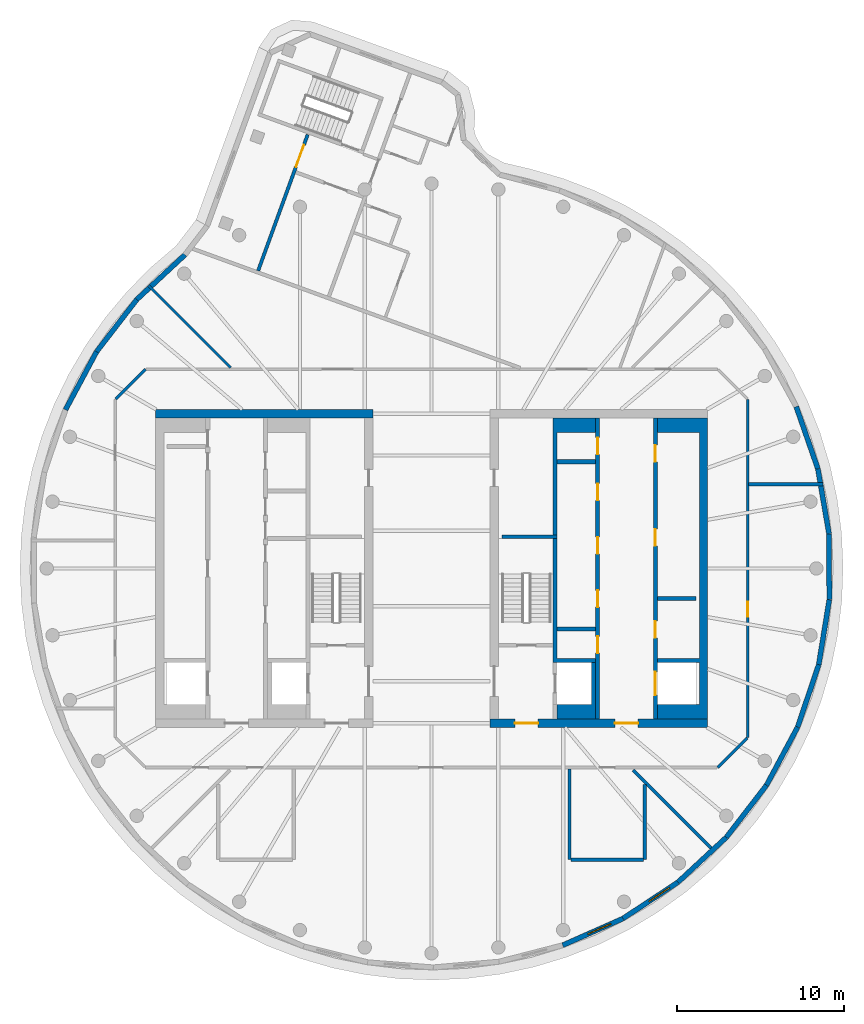
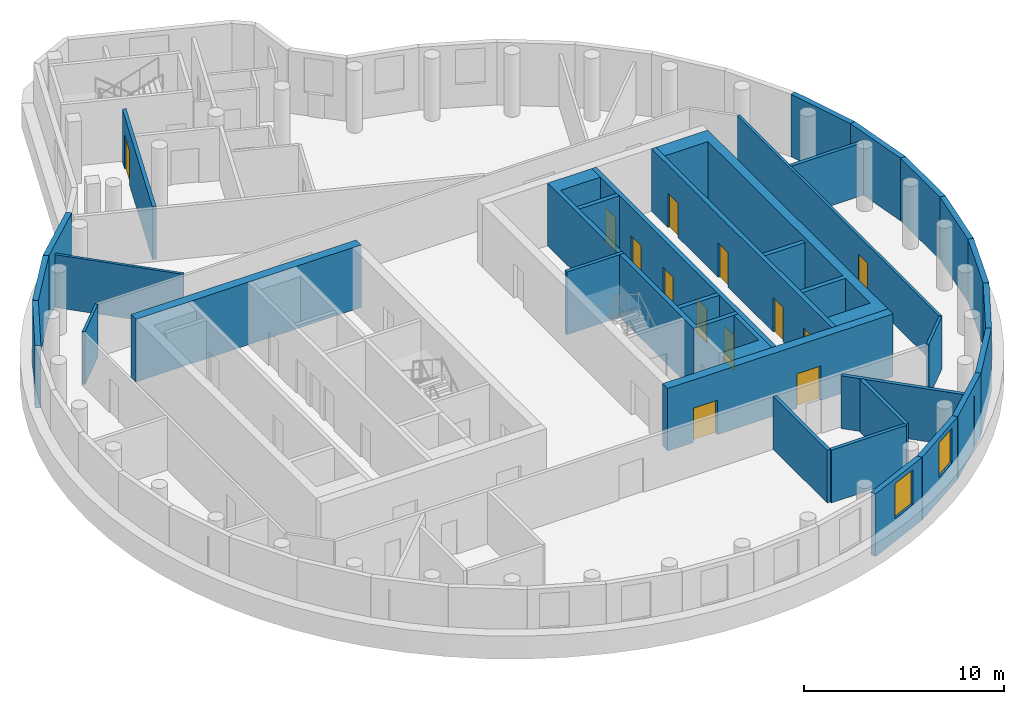
# One storey, part 4 of 7: 34 walls, 13 doors, 2 windows, 15 openings.
"""IFC4 building model written with IfcOpenShell, lengths in metres."""

from ifc_helpers import new_model, si_unit, direction, frame, frame_2d, origin, place, context, subcontext, project, spatial, polyline, rectangle, outline, extrude, material, layer, layer_set, type_object, element, fill, save


model = new_model("IFC4")

# Units and contexts
model_context = context("Model", 3, precision=1e-05, world=origin(), true_north=direction((0.0, 1.0)))
body_context = subcontext(model_context, "Body", "Model", "MODEL_VIEW")
ifc_project = project(units=[si_unit("LENGTHUNIT", "METRE"), si_unit("AREAUNIT", "SQUARE_METRE"), si_unit("VOLUMEUNIT", "CUBIC_METRE"), si_unit("PLANEANGLEUNIT", "RADIAN"), si_unit("MASSUNIT", "GRAM", prefix="KILO")], contexts=[model_context])

# Site, building, storey
site_placement = place(None, origin())
site = spatial("IfcSite", under=ifc_project, at=site_placement, CompositionType="ELEMENT")
building_placement = place(site_placement, origin())
building = spatial("IfcBuilding", under=site, at=building_placement, Name="Tamarind Cross Interchange Tower", CompositionType="ELEMENT")
storey_placement = place(building_placement, frame((0.0, 0.0, 309.39990234375)))
storey = spatial("IfcBuildingStorey", under=building, at=storey_placement, Name="L76", CompositionType="ELEMENT", Elevation=309.39990234375)

# Wall
ifc_material_1 = material(Name="Concrete C50", Category="concrete")
ifc_layer_1 = layer(ifc_material_1, 0.5)
ifc_layer_set_1 = layer_set([ifc_layer_1], Name="Concrete C50")
wall_type_1 = type_object("IfcWallType", Name="Core wall 500 mm Concrete C50", PredefinedType="SHEAR", material=ifc_layer_set_1)
wall_1_placement = place(storey_placement, frame((-16.5, 9.25, 0.0), z_axis=(0.0, 0.0, 1.0), x_axis=(1.0, 0.0, 0.0)))
element("IfcWall", 1, at=wall_1_placement, inside=storey, type_object=wall_type_1, Name="Core wall CWL-L76-W-NE", PredefinedType="SHEAR", context=body_context, shape_type="SweptSolid", body=[
    extrude(rectangle(XDim=13.0, YDim=0.5, at=frame_2d((6.5, 0.0))), origin(), (0.0, 0.0, 1.0), 3.820068359375),
])

# Wall, openings, doors
wall_2_placement = place(storey_placement, frame((16.5, -9.25, 0.0), z_axis=(0.0, 0.0, 1.0), x_axis=(-1.0, 0.0, 0.0)))
wall_2 = element("IfcWall", 2, at=wall_2_placement, inside=storey, type_object=wall_type_1, Name="Core wall CWL-L76-E-S", PredefinedType="SHEAR", context=body_context, shape_type="SweptSolid", body=[
    extrude(rectangle(XDim=13.0, YDim=0.5, at=frame_2d((6.5, 0.0))), origin(), (0.0, 0.0, 1.0), 3.820068359375),
])
opening_1_placement = place(wall_2_placement, frame((4.14990234375, 0.0, 0.0)))
opening_1 = element("IfcOpeningElement", 3, at=opening_1_placement, cuts=wall_2, Name="Opening DCE1", PredefinedType="OPENING", context=body_context, shape_type="SweptSolid", body=[
    extrude(rectangle(XDim=1.39990234375, YDim=2.10009765625, at=frame_2d((0.699951171875, 1.050048828125))), frame((0.0, 0.260009765625, 0.0), z_axis=(0.0, -1.0, 0.0), x_axis=(1.0, 0.0, 0.0)), (0.0, 0.0, 1.0), 0.52001953125),
])
opening_2_placement = place(wall_2_placement, frame((10.125, 0.0, 0.0)))
opening_2 = element("IfcOpeningElement", 4, at=opening_2_placement, cuts=wall_2, Name="Opening DCEF", PredefinedType="OPENING", context=body_context, shape_type="SweptSolid", body=[
    extrude(rectangle(XDim=1.39990234375, YDim=2.10009765625, at=frame_2d((0.699951171875, 1.050048828125))), frame((0.0, 0.260009765625, 0.0), z_axis=(0.0, -1.0, 0.0), x_axis=(1.0, 0.0, 0.0)), (0.0, 0.0, 1.0), 0.52001953125),
])
ifc_material_2 = material(Name="Steel, fire-resisting", Category="steel")
door_type_1 = type_object("IfcDoorType", Name="Core fire door 1400 x 2100 FD90", OperationType="SINGLE_SWING_LEFT", PredefinedType="DOOR", material=ifc_material_2)
door_1_placement = place(opening_1_placement, origin())
door_1 = element("IfcDoor", 5, at=door_1_placement, inside=storey, type_object=door_type_1, Name="L76 lift lobby door", OperationType="SINGLE_SWING_LEFT", OverallHeight=2.10009765625, OverallWidth=1.39990234375, PredefinedType="DOOR", context=body_context, shape_type="SweptSolid", body=[
    extrude(rectangle(XDim=1.39990234375, YDim=2.10009765625, at=frame_2d((0.699951171875, 1.050048828125))), frame((0.0, 0.02490234375, 0.0), z_axis=(0.0, -1.0, 0.0), x_axis=(1.0, 0.0, 0.0)), (0.0, 0.0, 1.0), 0.050048828125),
])
fill(opening_1, door_1)
door_2_placement = place(opening_2_placement, origin())
door_2 = element("IfcDoor", 6, at=door_2_placement, inside=storey, type_object=door_type_1, Name="L76 firefighting lobby end door", OperationType="SINGLE_SWING_LEFT", OverallHeight=2.10009765625, OverallWidth=1.39990234375, PredefinedType="DOOR", context=body_context, shape_type="SweptSolid", body=[
    extrude(rectangle(XDim=1.39990234375, YDim=2.10009765625, at=frame_2d((0.699951171875, 1.050048828125))), frame((0.0, 0.02490234375, 0.0), z_axis=(0.0, -1.0, 0.0), x_axis=(1.0, 0.0, 0.0)), (0.0, 0.0, 1.0), 0.050048828125),
])
fill(opening_2, door_2)

# Walls
wall_3_placement = place(storey_placement, origin())
element("IfcWall", 7, at=wall_3_placement, inside=storey, type_object=wall_type_1, Name="Core wall CWL-L76-E-A", PredefinedType="SHEAR", context=body_context, shape_type="SweptSolid", body=[
    extrude(outline(polyline([(13.5, -8.125), (13.5, -9.0), (16.0, -9.0), (16.5, -9.0), (16.5, 9.0), (16.0, 9.0), (13.5, 9.0), (13.5, 8.125), (16.0, 8.125), (16.0, -5.375), (13.5, -5.375), (13.5, -5.625), (16.0, -5.625), (16.0, -8.125), (13.5, -8.125)])), origin(), (0.0, 0.0, 1.0), 3.820068359375),
])
ifc_layer_2 = layer(ifc_material_1, 0.199951171875)
ifc_layer_set_2 = layer_set([ifc_layer_2], Name="Concrete C50")
wall_type_2 = type_object("IfcWallType", Name="Core web wall 200 mm Concrete C50", PredefinedType="SHEAR", material=ifc_layer_set_2)
wall_4_placement = place(storey_placement, frame((7.5, 1.89990234375, 0.0), z_axis=(0.0, 0.0, 1.0), x_axis=(-1.0, 0.0, 0.0)))
element("IfcWall", 8, at=wall_4_placement, inside=storey, type_object=wall_type_2, Name="Core wall CWL-L76-E-BD", PredefinedType="SHEAR", context=body_context, shape_type="SweptSolid", body=[
    extrude(rectangle(XDim=3.300048828125, YDim=0.199951171875, at=frame_2d((1.64990234375, 0.0))), origin(), (0.0, 0.0, 1.0), 3.820068359375),
])
ifc_layer_3 = layer(ifc_material_1, 0.25)
ifc_layer_set_3 = layer_set([ifc_layer_3], Name="Concrete C50")
wall_type_3 = type_object("IfcWallType", Name="Core web wall 250 mm Concrete C50", PredefinedType="SHEAR", material=ifc_layer_set_3)
wall_5_placement = place(storey_placement, origin())
element("IfcWall", 9, at=wall_5_placement, inside=storey, type_object=wall_type_3, Name="Core wall CWL-L76-E-BN", PredefinedType="SHEAR", context=body_context, shape_type="SweptSolid", body=[
    extrude(outline(polyline([(9.800048828125, -5.625), (9.800048828125, -5.375), (7.5, -5.375), (7.5, 8.125), (9.800048828125, 8.125), (9.800048828125, 9.0), (7.5, 9.0), (7.25, 9.0), (7.25, -5.625), (7.5, -5.625), (9.800048828125, -5.625)])), origin(), (0.0, 0.0, 1.0), 3.820068359375),
])
wall_6_placement = place(storey_placement, origin())
element("IfcWall", 10, at=wall_6_placement, inside=storey, type_object=wall_type_3, Name="Core wall CWL-L76-E-BS", PredefinedType="SHEAR", context=body_context, shape_type="SweptSolid", body=[
    extrude(outline(polyline([(7.5, -8.125), (7.5, -9.0), (9.800048828125, -9.0), (9.800048828125, -8.125), (9.800048828125, -5.625), (9.550048828125, -5.625), (9.550048828125, -8.125), (7.5, -8.125)])), origin(), (0.0, 0.0, 1.0), 3.820068359375),
])

# Wall, openings, doors
wall_7_placement = place(storey_placement, frame((13.375, -9.0, 0.0), z_axis=(0.0, 0.0, 1.0), x_axis=(0.0, 1.0, 0.0)))
wall_7 = element("IfcWall", 11, at=wall_7_placement, inside=storey, type_object=wall_type_3, Name="Core wall CWL-L76-E-LA", PredefinedType="SHEAR", context=body_context, shape_type="SweptSolid", body=[
    extrude(rectangle(XDim=18.0, YDim=0.25, at=frame_2d((9.0, 0.0))), origin(), (0.0, 0.0, 1.0), 3.820068359375),
])
opening_3_placement = place(wall_7_placement, frame((1.425048828125, 0.0, 0.0)))
opening_3 = element("IfcOpeningElement", 12, at=opening_3_placement, cuts=wall_7, Name="Opening LD13L76", PredefinedType="OPENING", context=body_context, shape_type="SweptSolid", body=[
    extrude(rectangle(XDim=1.39990234375, YDim=2.10009765625, at=frame_2d((0.699951171875, 1.050048828125))), frame((0.0, 0.135009765625, 0.0), z_axis=(0.0, -1.0, 0.0), x_axis=(1.0, 0.0, 0.0)), (0.0, 0.0, 1.0), 0.27001953125),
])
opening_4_placement = place(wall_7_placement, frame((4.85400390625, 0.0, 0.0)))
opening_4 = element("IfcOpeningElement", 13, at=opening_4_placement, cuts=wall_7, Name="Opening DCE9", PredefinedType="OPENING", context=body_context, shape_type="SweptSolid", body=[
    extrude(rectangle(XDim=1.0, YDim=2.10009765625, at=frame_2d((0.5, 1.050048828125))), frame((0.0, 0.135009765625, 0.0), z_axis=(0.0, -1.0, 0.0), x_axis=(1.0, 0.0, 0.0)), (0.0, 0.0, 1.0), 0.27001953125),
])
opening_5_placement = place(wall_7_placement, frame((10.35400390625, 0.0, 0.0)))
opening_5 = element("IfcOpeningElement", 14, at=opening_5_placement, cuts=wall_7, Name="Opening DCE10", PredefinedType="OPENING", context=body_context, shape_type="SweptSolid", body=[
    extrude(rectangle(XDim=1.0, YDim=2.10009765625, at=frame_2d((0.5, 1.050048828125))), frame((0.0, 0.135009765625, 0.0), z_axis=(0.0, -1.0, 0.0), x_axis=(1.0, 0.0, 0.0)), (0.0, 0.0, 1.0), 0.27001953125),
])
opening_6_placement = place(wall_7_placement, frame((15.375, 0.0, 0.0)))
opening_6 = element("IfcOpeningElement", 15, at=opening_6_placement, cuts=wall_7, Name="Opening DCE17", PredefinedType="OPENING", context=body_context, shape_type="SweptSolid", body=[
    extrude(rectangle(XDim=1.0, YDim=2.10009765625, at=frame_2d((0.5, 1.050048828125))), frame((0.0, 0.135009765625, 0.0), z_axis=(0.0, -1.0, 0.0), x_axis=(1.0, 0.0, 0.0)), (0.0, 0.0, 1.0), 0.27001953125),
])
door_type_2 = type_object("IfcDoorType", Name="Core fire door 1000 x 2100 FD90", OperationType="SINGLE_SWING_LEFT", PredefinedType="DOOR", material=ifc_material_2)
door_3_placement = place(opening_4_placement, origin())
door_3 = element("IfcDoor", 16, at=door_3_placement, inside=storey, type_object=door_type_2, Name="L76 Plant room door", OperationType="SINGLE_SWING_LEFT", OverallHeight=2.10009765625, OverallWidth=1.0, PredefinedType="DOOR", context=body_context, shape_type="SweptSolid", body=[
    extrude(rectangle(XDim=1.0, YDim=2.10009765625, at=frame_2d((0.5, 1.050048828125))), frame((0.0, 0.02490234375, 0.0), z_axis=(0.0, -1.0, 0.0), x_axis=(1.0, 0.0, 0.0)), (0.0, 0.0, 1.0), 0.050048828125),
])
fill(opening_4, door_3)
door_4_placement = place(opening_5_placement, origin())
door_4 = element("IfcDoor", 17, at=door_4_placement, inside=storey, type_object=door_type_2, Name="L76 Storage room door", OperationType="SINGLE_SWING_LEFT", OverallHeight=2.10009765625, OverallWidth=1.0, PredefinedType="DOOR", context=body_context, shape_type="SweptSolid", body=[
    extrude(rectangle(XDim=1.0, YDim=2.10009765625, at=frame_2d((0.5, 1.050048828125))), frame((0.0, 0.02490234375, 0.0), z_axis=(0.0, -1.0, 0.0), x_axis=(1.0, 0.0, 0.0)), (0.0, 0.0, 1.0), 0.050048828125),
])
fill(opening_5, door_4)
door_5_placement = place(opening_6_placement, origin())
door_5 = element("IfcDoor", 18, at=door_5_placement, inside=storey, type_object=door_type_2, Name="L76 Pump room door", OperationType="SINGLE_SWING_LEFT", OverallHeight=2.10009765625, OverallWidth=1.0, PredefinedType="DOOR", context=body_context, shape_type="SweptSolid", body=[
    extrude(rectangle(XDim=1.0, YDim=2.10009765625, at=frame_2d((0.5, 1.050048828125))), frame((0.0, 0.02490234375, 0.0), z_axis=(0.0, -1.0, 0.0), x_axis=(1.0, 0.0, 0.0)), (0.0, 0.0, 1.0), 0.050048828125),
])
fill(opening_6, door_5)
ifc_material_3 = material(Name="Stainless steel panel", Category="steel")
door_type_3 = type_object("IfcDoorType", Name="Lift landing door 1400 x 2100 E 120", OperationType="SLIDING_TO_LEFT", PredefinedType="DOOR", material=ifc_material_3)
door_6_placement = place(opening_3_placement, origin())
door_6 = element("IfcDoor", 19, at=door_6_placement, inside=storey, type_object=door_type_3, Name="L76 landing door LF13", OperationType="SLIDING_TO_LEFT", OverallHeight=2.10009765625, OverallWidth=1.39990234375, PredefinedType="DOOR", context=body_context, shape_type="SweptSolid", body=[
    extrude(rectangle(XDim=1.39990234375, YDim=2.10009765625, at=frame_2d((0.699951171875, 1.050048828125))), frame((0.0, 0.02490234375, 0.0), z_axis=(0.0, -1.0, 0.0), x_axis=(1.0, 0.0, 0.0)), (0.0, 0.0, 1.0), 0.050048828125),
])
fill(opening_3, door_6)

wall_8_placement = place(storey_placement, frame((9.925048828125, -9.0, 0.0), z_axis=(0.0, 0.0, 1.0), x_axis=(0.0, 1.0, 0.0)))
wall_8 = element("IfcWall", 20, at=wall_8_placement, inside=storey, type_object=wall_type_3, Name="Core wall CWL-L76-E-LB", PredefinedType="SHEAR", context=body_context, shape_type="SweptSolid", body=[
    extrude(rectangle(XDim=18.0, YDim=0.25, at=frame_2d((9.0, 0.0))), origin(), (0.0, 0.0, 1.0), 3.820068359375),
])
opening_7_placement = place(wall_8_placement, frame((3.9375, 0.0, 0.0)))
opening_7 = element("IfcOpeningElement", 21, at=opening_7_placement, cuts=wall_8, Name="Opening DCE21", PredefinedType="OPENING", context=body_context, shape_type="SweptSolid", body=[
    extrude(rectangle(XDim=1.0, YDim=2.10009765625, at=frame_2d((0.5, 1.050048828125))), frame((0.0, 0.135009765625, 0.0), z_axis=(0.0, -1.0, 0.0), x_axis=(1.0, 0.0, 0.0)), (0.0, 0.0, 1.0), 0.27001953125),
])
opening_8_placement = place(wall_8_placement, frame((6.6875, 0.0, 0.0)))
opening_8 = element("IfcOpeningElement", 22, at=opening_8_placement, cuts=wall_8, Name="Opening DCE22", PredefinedType="OPENING", context=body_context, shape_type="SweptSolid", body=[
    extrude(rectangle(XDim=1.0, YDim=2.10009765625, at=frame_2d((0.5, 1.050048828125))), frame((0.0, 0.135009765625, 0.0), z_axis=(0.0, -1.0, 0.0), x_axis=(1.0, 0.0, 0.0)), (0.0, 0.0, 1.0), 0.27001953125),
])
opening_9_placement = place(wall_8_placement, frame((9.875, 0.0, 0.0)))
opening_9 = element("IfcOpeningElement", 23, at=opening_9_placement, cuts=wall_8, Name="Opening DCE21", PredefinedType="OPENING", context=body_context, shape_type="SweptSolid", body=[
    extrude(rectangle(XDim=1.0, YDim=2.10009765625, at=frame_2d((0.5, 1.050048828125))), frame((0.0, 0.135009765625, 0.0), z_axis=(0.0, -1.0, 0.0), x_axis=(1.0, 0.0, 0.0)), (0.0, 0.0, 1.0), 0.27001953125),
])
opening_10_placement = place(wall_8_placement, frame((13.0625, 0.0, 0.0)))
opening_10 = element("IfcOpeningElement", 24, at=opening_10_placement, cuts=wall_8, Name="Opening DCE21", PredefinedType="OPENING", context=body_context, shape_type="SweptSolid", body=[
    extrude(rectangle(XDim=1.0, YDim=2.10009765625, at=frame_2d((0.5, 1.050048828125))), frame((0.0, 0.135009765625, 0.0), z_axis=(0.0, -1.0, 0.0), x_axis=(1.0, 0.0, 0.0)), (0.0, 0.0, 1.0), 0.27001953125),
])
opening_11_placement = place(wall_8_placement, frame((15.8125, 0.0, 0.0)))
opening_11 = element("IfcOpeningElement", 25, at=opening_11_placement, cuts=wall_8, Name="Opening DCE22", PredefinedType="OPENING", context=body_context, shape_type="SweptSolid", body=[
    extrude(rectangle(XDim=1.0, YDim=2.10009765625, at=frame_2d((0.5, 1.050048828125))), frame((0.0, 0.135009765625, 0.0), z_axis=(0.0, -1.0, 0.0), x_axis=(1.0, 0.0, 0.0)), (0.0, 0.0, 1.0), 0.27001953125),
])
door_7_placement = place(opening_7_placement, origin())
door_7 = element("IfcDoor", 26, at=door_7_placement, inside=storey, type_object=door_type_2, Name="L76 Battery room door", OperationType="SINGLE_SWING_LEFT", OverallHeight=2.10009765625, OverallWidth=1.0, PredefinedType="DOOR", context=body_context, shape_type="SweptSolid", body=[
    extrude(rectangle(XDim=1.0, YDim=2.10009765625, at=frame_2d((0.5, 1.050048828125))), frame((0.0, 0.02490234375, 0.0), z_axis=(0.0, -1.0, 0.0), x_axis=(1.0, 0.0, 0.0)), (0.0, 0.0, 1.0), 0.050048828125),
])
fill(opening_7, door_7)
door_8_placement = place(opening_8_placement, origin())
door_8 = element("IfcDoor", 27, at=door_8_placement, inside=storey, type_object=door_type_2, Name="L76 Switch room door", OperationType="SINGLE_SWING_LEFT", OverallHeight=2.10009765625, OverallWidth=1.0, PredefinedType="DOOR", context=body_context, shape_type="SweptSolid", body=[
    extrude(rectangle(XDim=1.0, YDim=2.10009765625, at=frame_2d((0.5, 1.050048828125))), frame((0.0, 0.02490234375, 0.0), z_axis=(0.0, -1.0, 0.0), x_axis=(1.0, 0.0, 0.0)), (0.0, 0.0, 1.0), 0.050048828125),
])
fill(opening_8, door_8)
door_9_placement = place(opening_9_placement, origin())
door_9 = element("IfcDoor", 28, at=door_9_placement, inside=storey, type_object=door_type_2, Name="L76 Switch room door", OperationType="SINGLE_SWING_LEFT", OverallHeight=2.10009765625, OverallWidth=1.0, PredefinedType="DOOR", context=body_context, shape_type="SweptSolid", body=[
    extrude(rectangle(XDim=1.0, YDim=2.10009765625, at=frame_2d((0.5, 1.050048828125))), frame((0.0, 0.02490234375, 0.0), z_axis=(0.0, -1.0, 0.0), x_axis=(1.0, 0.0, 0.0)), (0.0, 0.0, 1.0), 0.050048828125),
])
fill(opening_9, door_9)
door_10_placement = place(opening_10_placement, origin())
door_10 = element("IfcDoor", 29, at=door_10_placement, inside=storey, type_object=door_type_2, Name="L76 Storage room door", OperationType="SINGLE_SWING_LEFT", OverallHeight=2.10009765625, OverallWidth=1.0, PredefinedType="DOOR", context=body_context, shape_type="SweptSolid", body=[
    extrude(rectangle(XDim=1.0, YDim=2.10009765625, at=frame_2d((0.5, 1.050048828125))), frame((0.0, 0.02490234375, 0.0), z_axis=(0.0, -1.0, 0.0), x_axis=(1.0, 0.0, 0.0)), (0.0, 0.0, 1.0), 0.050048828125),
])
fill(opening_10, door_10)
door_11_placement = place(opening_11_placement, origin())
door_11 = element("IfcDoor", 30, at=door_11_placement, inside=storey, type_object=door_type_2, Name="L76 Battery room door", OperationType="SINGLE_SWING_LEFT", OverallHeight=2.10009765625, OverallWidth=1.0, PredefinedType="DOOR", context=body_context, shape_type="SweptSolid", body=[
    extrude(rectangle(XDim=1.0, YDim=2.10009765625, at=frame_2d((0.5, 1.050048828125))), frame((0.0, 0.02490234375, 0.0), z_axis=(0.0, -1.0, 0.0), x_axis=(1.0, 0.0, 0.0)), (0.0, 0.0, 1.0), 0.050048828125),
])
fill(opening_11, door_11)

# Walls
ifc_material_4 = material(Name="Gypsum board partition on steel studs", Category="steel")
ifc_layer_4 = layer(ifc_material_4, 0.14990234375)
ifc_layer_set_4 = layer_set([ifc_layer_4], Name="Gypsum board partition on steel studs")
wall_type_4 = type_object("IfcWallType", Name="Partition 150 mm EI 120", PredefinedType="PARTITIONING", material=ifc_layer_set_4)
wall_9_placement = place(storey_placement, frame((-16.921142578125, 16.921142578125, 0.0), z_axis=(0.0, 0.0, 1.0), x_axis=(0.707106781187, -0.707106781187, 0.0)))
element("IfcWall", 31, at=wall_9_placement, inside=storey, type_object=wall_type_4, Name="Partition L76-002", PredefinedType="PARTITIONING", context=body_context, shape_type="SweptSolid", body=[
    extrude(rectangle(XDim=6.946044921875, YDim=0.14990234375, at=frame_2d((3.47314453125, 0.0))), origin(), (0.0, 0.0, 1.0), 3.22021484375),
])
for number, where, z_axis, x_axis, name in (
    (32, (-18.87158203125, 10.12841796875, 0.0), (0.0, 0.0, 1.0), (0.707106781187, 0.707106781187, 0.0), "Partition L76-019"),
    (33, (17.10009765625, -11.89990234375, 0.0), (0.0, 0.0, 1.0), (0.707106781187, 0.707106781187, 0.0), "Partition L76-022"),
):
    element("IfcWall", number, at=place(storey_placement, frame(where, z_axis=z_axis, x_axis=x_axis)), inside=storey, type_object=wall_type_4, Name=name, PredefinedType="PARTITIONING", context=body_context, shape_type="SweptSolid", body=[
        extrude(rectangle(XDim=2.50537109375, YDim=0.14990234375, at=frame_2d((1.252685546875, 0.0))), origin(), (0.0, 0.0, 1.0), 3.22021484375),
    ])

# Wall, opening, door
wall_10_placement = place(storey_placement, frame((18.89990234375, -10.10009765625, 0.0), z_axis=(0.0, 0.0, 1.0), x_axis=(0.0, 1.0, 0.0)))
wall_10 = element("IfcWall", 34, at=wall_10_placement, inside=storey, type_object=wall_type_4, Name="Partition L76-037", PredefinedType="PARTITIONING", context=body_context, shape_type="SweptSolid", body=[
    extrude(rectangle(XDim=20.2001953125, YDim=0.14990234375, at=frame_2d((10.10009765625, 0.0))), origin(), (0.0, 0.0, 1.0), 3.22021484375),
])
opening_12_placement = place(wall_10_placement, frame((7.199951171875, 0.0, 0.0)))
opening_12 = element("IfcOpeningElement", 35, at=opening_12_placement, cuts=wall_10, Name="Opening D18", PredefinedType="OPENING", context=body_context, shape_type="SweptSolid", body=[
    extrude(rectangle(XDim=0.89990234375, YDim=2.10009765625, at=frame_2d((0.449951171875, 1.050048828125))), frame((0.0, 0.0849609375, 0.0), z_axis=(0.0, -1.0, 0.0), x_axis=(1.0, 0.0, 0.0)), (0.0, 0.0, 1.0), 0.169921875),
])
ifc_material_5 = material(Name="Fire-resisting door set")
door_type_4 = type_object("IfcDoorType", Name="Interior door 900 x 2100 FD60S", OperationType="SINGLE_SWING_LEFT", PredefinedType="DOOR", material=ifc_material_5)
door_12_placement = place(opening_12_placement, frame((0.89990234375, 0.0, 0.0), z_axis=(0.0, 0.0, 1.0), x_axis=(-1.0, 0.0, 0.0)))
door_12 = element("IfcDoor", 36, at=door_12_placement, inside=storey, type_object=door_type_4, Name="Door D18", OperationType="SINGLE_SWING_LEFT", OverallHeight=2.10009765625, OverallWidth=0.89990234375, PredefinedType="DOOR", context=body_context, shape_type="SweptSolid", body=[
    extrude(rectangle(XDim=0.89990234375, YDim=2.10009765625, at=frame_2d((0.449951171875, 1.050048828125))), frame((0.0, 0.02490234375, 0.0), z_axis=(0.0, -1.0, 0.0), x_axis=(1.0, 0.0, 0.0)), (0.0, 0.0, 1.0), 0.050048828125),
])
fill(opening_12, door_12)

# Walls
ifc_layer_5 = layer(ifc_material_4, 0.199951171875)
ifc_layer_set_5 = layer_set([ifc_layer_5], Name="Gypsum board partition on steel studs")
wall_type_5 = type_object("IfcWallType", Name="Partition 200 mm EI 180", PredefinedType="PARTITIONING", material=ifc_layer_set_5)
wall_11_placement = place(storey_placement, frame((12.052001953125, -12.052001953125, 0.0), z_axis=(0.0, 0.0, 1.0), x_axis=(0.707106781187, -0.707106781187, 0.0)))
element("IfcWall", 37, at=wall_11_placement, inside=storey, type_object=wall_type_5, Name="Partition L76-003", PredefinedType="PARTITIONING", context=body_context, shape_type="SweptSolid", body=[
    extrude(rectangle(XDim=6.8857421875, YDim=0.199951171875, at=frame_2d((3.44287109375, 0.0))), origin(), (0.0, 0.0, 1.0), 3.22021484375),
])
wall_12_placement = place(storey_placement, frame((8.321044921875, -17.39990234375, 0.0), z_axis=(0.0, 0.0, 1.0), x_axis=(1.0, 0.0, 0.0)))
element("IfcWall", 38, at=wall_12_placement, inside=storey, type_object=wall_type_5, Name="Partition L76-017", PredefinedType="PARTITIONING", context=body_context, shape_type="SweptSolid", body=[
    extrude(rectangle(XDim=4.33984375, YDim=0.199951171875, at=frame_2d((2.169921875, 0.0))), origin(), (0.0, 0.0, 1.0), 3.22021484375),
])
wall_13_placement = place(storey_placement, frame((18.955078125, 5.02197265625, 0.0), z_axis=(0.0, 0.0, 1.0), x_axis=(1.0, 0.0, 0.0)))
element("IfcWall", 39, at=wall_13_placement, inside=storey, type_object=wall_type_5, Name="Partition L76-018", PredefinedType="PARTITIONING", context=body_context, shape_type="SweptSolid", body=[
    extrude(rectangle(XDim=4.4462890625, YDim=0.199951171875, at=frame_2d((2.22314453125, 0.0))), origin(), (0.0, 0.0, 1.0), 3.22021484375),
])

# Wall, opening, door
wall_14_placement = place(storey_placement, frame((-10.36474609375, 17.791015625, 0.0), z_axis=(0.0, 0.0, 1.0), x_axis=(0.342032792834, 0.939688016645, 0.0)))
wall_14 = element("IfcWall", 40, at=wall_14_placement, inside=storey, type_object=wall_type_5, Name="Partition L76-023", PredefinedType="PARTITIONING", context=body_context, shape_type="SweptSolid", body=[
    extrude(rectangle(XDim=8.65966796875, YDim=0.199951171875, at=frame_2d((4.329833984375, 0.0))), origin(), (0.0, 0.0, 1.0), 3.22021484375),
])
opening_13_placement = place(wall_14_placement, frame((6.60009765625, 0.0, 0.0)))
opening_13 = element("IfcOpeningElement", 41, at=opening_13_placement, cuts=wall_14, Name="Opening D11", PredefinedType="OPENING", context=body_context, shape_type="SweptSolid", body=[
    extrude(rectangle(XDim=1.39990234375, YDim=2.10009765625, at=frame_2d((0.699951171875, 1.050048828125))), frame((0.0, 0.10986328125, 0.0), z_axis=(0.0, -1.0, 0.0), x_axis=(1.0, 0.0, 0.0)), (0.0, 0.0, 1.0), 0.219970703125),
])
door_type_5 = type_object("IfcDoorType", Name="Interior door 1400 x 2100 FD120S", OperationType="DOUBLE_DOOR_SINGLE_SWING", PredefinedType="DOOR", material=ifc_material_5)
door_13_placement = place(opening_13_placement, origin())
door_13 = element("IfcDoor", 42, at=door_13_placement, inside=storey, type_object=door_type_5, Name="Door D11", OperationType="DOUBLE_DOOR_SINGLE_SWING", OverallHeight=2.10009765625, OverallWidth=1.39990234375, PredefinedType="DOOR", context=body_context, shape_type="SweptSolid", body=[
    extrude(rectangle(XDim=1.39990234375, YDim=2.10009765625, at=frame_2d((0.699951171875, 1.050048828125))), frame((0.0, 0.02490234375, 0.0), z_axis=(0.0, -1.0, 0.0), x_axis=(1.0, 0.0, 0.0)), (0.0, 0.0, 1.0), 0.050048828125),
])
fill(opening_13, door_13)

# Walls
wall_15_placement = place(storey_placement, frame((8.240966796875, -17.39990234375, 0.0), z_axis=(0.0, 0.0, 1.0), x_axis=(0.0, 1.0, 0.0)))
element("IfcWall", 43, at=wall_15_placement, inside=storey, type_object=wall_type_5, Name="Partition L76-035", PredefinedType="PARTITIONING", context=body_context, shape_type="SweptSolid", body=[
    extrude(rectangle(XDim=5.419921875, YDim=0.199951171875, at=frame_2d((2.7099609375, 0.0))), origin(), (0.0, 0.0, 1.0), 3.22021484375),
])
wall_16_placement = place(storey_placement, frame((12.740966796875, -17.39990234375, 0.0), z_axis=(0.0, 0.0, 1.0), x_axis=(0.0, 1.0, 0.0)))
element("IfcWall", 44, at=wall_16_placement, inside=storey, type_object=wall_type_5, Name="Partition L76-036", PredefinedType="PARTITIONING", context=body_context, shape_type="SweptSolid", body=[
    extrude(rectangle(XDim=4.4990234375, YDim=0.199951171875, at=frame_2d((2.24951171875, 0.0))), origin(), (0.0, 0.0, 1.0), 3.22021484375),
])
ifc_material_6 = material(Name="Precast concrete C40", Category="concrete")
ifc_layer_6 = layer(ifc_material_6, 0.300048828125)
ifc_layer_set_6 = layer_set([ifc_layer_6], Name="Precast concrete C40")
wall_type_6 = type_object("IfcWallType", Name="Plant louvre wall", PredefinedType="SOLIDWALL", material=ifc_layer_set_6)
wall_17_placement = place(storey_placement, frame((-14.738525390625, 18.7451171875, 0.0), z_axis=(0.0, 0.0, 1.0), x_axis=(-0.73266715928, -0.680587124263, 0.0)))
element("IfcWall", 45, at=wall_17_placement, inside=storey, type_object=wall_type_6, Name="EXW-L76-02-01", PredefinedType="SOLIDWALL", context=body_context, shape_type="SweptSolid", body=[
    extrude(rectangle(XDim=3.923583984375, YDim=0.300048828125, at=frame_2d((1.9619140625, 0.0))), origin(), (0.0, 0.0, 1.0), 3.820068359375),
])
for number, where, z_axis, x_axis, name in (
    (46, (-17.61328125, 16.07470703125, 0.0), (0.0, 0.0, 1.0), (-0.610785688376, -0.79179596038, 0.0), "EXW-L76-02-02"),
    (47, (-20.018798828125, 12.956298828125, 0.0), (0.0, 0.0, 1.0), (-0.472180126088, -0.881502086513, 0.0), "EXW-L76-02-03"),
):
    element("IfcWall", number, at=place(storey_placement, frame(where, z_axis=z_axis, x_axis=x_axis)), inside=storey, type_object=wall_type_6, Name=name, PredefinedType="SOLIDWALL", context=body_context, shape_type="SweptSolid", body=[
        extrude(rectangle(XDim=3.9384765625, YDim=0.300048828125, at=frame_2d((1.96923828125, 0.0))), origin(), (0.0, 0.0, 1.0), 3.820068359375),
    ])

# Wall, opening, window
wall_18_placement = place(storey_placement, frame((7.839599609375, -22.520263671875, 0.0), z_axis=(0.0, 0.0, 1.0), x_axis=(0.91404912862, 0.405603489221, 0.0)))
wall_18 = element("IfcWall", 48, at=wall_18_placement, inside=storey, type_object=wall_type_6, Name="EXW-L76-02-18", PredefinedType="SOLIDWALL", context=body_context, shape_type="SweptSolid", body=[
    extrude(rectangle(XDim=3.9384765625, YDim=0.300048828125, at=frame_2d((1.96923828125, 0.0))), origin(), (0.0, 0.0, 1.0), 3.820068359375),
])
opening_14_placement = place(wall_18_placement, frame((1.642578125, 0.0, 1.39990234375)))
opening_14 = element("IfcOpeningElement", 49, at=opening_14_placement, cuts=wall_18, Name="Opening W2", PredefinedType="OPENING", context=body_context, shape_type="SweptSolid", body=[
    extrude(rectangle(XDim=1.508544921875, YDim=2.1201171875, at=frame_2d((0.75439453125, 1.06005859375))), frame((0.0, 0.159912109375, 0.0), z_axis=(0.0, -1.0, 0.0), x_axis=(1.0, 0.0, 0.0)), (0.0, 0.0, 1.0), 0.320068359375),
])
ifc_material_7 = material(Name="Aluminium louvre", Category="aluminium")
window_type = type_object("IfcWindowType", Name="Plant louvre bank", PartitioningType="SINGLE_PANEL", PredefinedType="WINDOW", material=ifc_material_7)
window_1_placement = place(opening_14_placement, origin())
window_1 = element("IfcWindow", 50, at=window_1_placement, inside=storey, type_object=window_type, Name="WIN-L76-02-18", OverallHeight=2.1201171875, OverallWidth=1.508544921875, PartitioningType="SINGLE_PANEL", PredefinedType="WINDOW", context=body_context, shape_type="SweptSolid", body=[
    extrude(rectangle(XDim=1.508544921875, YDim=2.1201171875, at=frame_2d((0.75439453125, 1.06005859375))), frame((0.0, 0.030029296875, 0.0), z_axis=(0.0, -1.0, 0.0), x_axis=(1.0, 0.0, 0.0)), (0.0, 0.0, 1.0), 0.06005859375),
])
fill(opening_14, window_1)

wall_19_placement = place(storey_placement, frame((11.439453125, -20.9228515625, 0.0), z_axis=(0.0, 0.0, 1.0), x_axis=(0.834786621205, 0.550573607302, 0.0)))
wall_19 = element("IfcWall", 51, at=wall_19_placement, inside=storey, type_object=wall_type_6, Name="EXW-L76-02-19", PredefinedType="SOLIDWALL", context=body_context, shape_type="SweptSolid", body=[
    extrude(rectangle(XDim=3.9384765625, YDim=0.300048828125, at=frame_2d((1.96923828125, 0.0))), origin(), (0.0, 0.0, 1.0), 3.820068359375),
])
opening_15_placement = place(wall_19_placement, frame((1.853271484375, 0.0, 1.39990234375)))
opening_15 = element("IfcOpeningElement", 52, at=opening_15_placement, cuts=wall_19, Name="Opening W2", PredefinedType="OPENING", context=body_context, shape_type="SweptSolid", body=[
    extrude(rectangle(XDim=1.485107421875, YDim=2.1201171875, at=frame_2d((0.74267578125, 1.06005859375))), frame((0.0, 0.159912109375, 0.0), z_axis=(0.0, -1.0, 0.0), x_axis=(1.0, 0.0, 0.0)), (0.0, 0.0, 1.0), 0.320068359375),
])
window_2_placement = place(opening_15_placement, origin())
window_2 = element("IfcWindow", 53, at=window_2_placement, inside=storey, type_object=window_type, Name="WIN-L76-02-19", OverallHeight=2.1201171875, OverallWidth=1.485107421875, PartitioningType="SINGLE_PANEL", PredefinedType="WINDOW", context=body_context, shape_type="SweptSolid", body=[
    extrude(rectangle(XDim=1.485107421875, YDim=2.1201171875, at=frame_2d((0.74267578125, 1.06005859375))), frame((0.0, 0.030029296875, 0.0), z_axis=(0.0, -1.0, 0.0), x_axis=(1.0, 0.0, 0.0)), (0.0, 0.0, 1.0), 0.06005859375),
])
fill(opening_15, window_2)

# Walls
wall_20_placement = place(storey_placement, frame((14.727294921875, -18.75439453125, 0.0), z_axis=(0.0, 0.0, 1.0), x_axis=(0.732813362883, 0.680429698926, 0.0)))
element("IfcWall", 54, at=wall_20_placement, inside=storey, type_object=wall_type_6, Name="EXW-L76-02-20", PredefinedType="SOLIDWALL", context=body_context, shape_type="SweptSolid", body=[
    extrude(rectangle(XDim=3.938232421875, YDim=0.300048828125, at=frame_2d((1.96923828125, 0.0))), origin(), (0.0, 0.0, 1.0), 3.820068359375),
])
for number, where, z_axis, x_axis, name in (
    (55, (17.61328125, -16.07470703125, 0.0), (0.0, 0.0, 1.0), (0.610785688376, 0.79179596038, 0.0), "EXW-L76-02-21"),
    (56, (20.018798828125, -12.956298828125, 0.0), (0.0, 0.0, 1.0), (0.472180126088, 0.881502086513, 0.0), "EXW-L76-02-22"),
    (57, (21.87841796875, -9.484619140625, 0.0), (0.0, 0.0, 1.0), (0.320613287718, 0.947210177172, 0.0), "EXW-L76-02-23"),
):
    element("IfcWall", number, at=place(storey_placement, frame(where, z_axis=z_axis, x_axis=x_axis)), inside=storey, type_object=wall_type_6, Name=name, PredefinedType="SOLIDWALL", context=body_context, shape_type="SweptSolid", body=[
        extrude(rectangle(XDim=3.9384765625, YDim=0.300048828125, at=frame_2d((1.96923828125, 0.0))), origin(), (0.0, 0.0, 1.0), 3.820068359375),
    ])
wall_21_placement = place(storey_placement, frame((23.14111328125, -5.754150390625, 0.0), z_axis=(0.0, 0.0, 1.0), x_axis=(0.160376439891, 0.987055924215, 0.0)))
element("IfcWall", 58, at=wall_21_placement, inside=storey, type_object=wall_type_6, Name="EXW-L76-02-24", PredefinedType="SOLIDWALL", context=body_context, shape_type="SweptSolid", body=[
    extrude(rectangle(XDim=3.938232421875, YDim=0.300048828125, at=frame_2d((1.96923828125, 0.0))), origin(), (0.0, 0.0, 1.0), 3.820068359375),
])
wall_22_placement = place(storey_placement, frame((23.772705078125, -1.866943359375, 0.0), z_axis=(0.0, 0.0, 1.0), x_axis=(-0.004339160737, 0.999990585798, 0.0)))
element("IfcWall", 59, at=wall_22_placement, inside=storey, type_object=wall_type_6, Name="EXW-L76-02-25", PredefinedType="SOLIDWALL", context=body_context, shape_type="SweptSolid", body=[
    extrude(rectangle(XDim=3.9384765625, YDim=0.300048828125, at=frame_2d((1.96923828125, 0.0))), origin(), (0.0, 0.0, 1.0), 3.820068359375),
])
wall_23_placement = place(storey_placement, frame((23.755615234375, 2.071533203125, 0.0), z_axis=(0.0, 0.0, 1.0), x_axis=(-0.168810670753, 0.985648495885, 0.0)))
element("IfcWall", 60, at=wall_23_placement, inside=storey, type_object=wall_type_6, Name="EXW-L76-02-26", PredefinedType="SOLIDWALL", context=body_context, shape_type="SweptSolid", body=[
    extrude(rectangle(XDim=3.93798828125, YDim=0.300048828125, at=frame_2d((1.968994140625, 0.0))), origin(), (0.0, 0.0, 1.0), 3.820068359375),
])
wall_24_placement = place(storey_placement, frame((23.0908203125, 5.953125, 0.0), z_axis=(0.0, 0.0, 1.0), x_axis=(-0.328789892836, 0.944403095277, 0.0)))
element("IfcWall", 61, at=wall_24_placement, inside=storey, type_object=wall_type_6, Name="EXW-L76-02-27", PredefinedType="SOLIDWALL", context=body_context, shape_type="SweptSolid", body=[
    extrude(rectangle(XDim=3.9384765625, YDim=0.300048828125, at=frame_2d((1.96923828125, 0.0))), origin(), (0.0, 0.0, 1.0), 3.820068359375),
])
ifc_material_8 = material(Name="Concrete C40", Category="concrete")
ifc_layer_7 = layer(ifc_material_8, 0.25)
ifc_layer_set_7 = layer_set([ifc_layer_7], Name="Concrete C40")
wall_type_7 = type_object("IfcWallType", Name="Shaft and lobby wall 250 mm Concrete C40", PredefinedType="PARTITIONING", material=ifc_layer_set_7)
for number, where, z_axis, x_axis, name in (
    (62, (15.800048828125, -1.7919921875, 0.0), (0.0, 0.0, 1.0), (-1.0, 0.0, 0.0), "Shaft wall CWL-L76-E-FPA1"),
    (63, (9.800048828125, -3.625, 0.0), (0.0, 0.0, 1.0), (-1.0, 0.0, 0.0), "Shaft wall CWL-L76-E-FPB1"),
    (64, (9.800048828125, 6.375, 0.0), (0.0, 0.0, 1.0), (-1.0, 0.0, 0.0), "Shaft wall CWL-L76-E-FPB4"),
):
    element("IfcWall", number, at=place(storey_placement, frame(where, z_axis=z_axis, x_axis=x_axis)), inside=storey, type_object=wall_type_7, Name=name, PredefinedType="PARTITIONING", context=body_context, shape_type="SweptSolid", body=[
        extrude(rectangle(XDim=2.300048828125, YDim=0.25, at=frame_2d((1.14990234375, 0.0))), origin(), (0.0, 0.0, 1.0), 3.820068359375),
    ])

save(model, "model.ifc")
